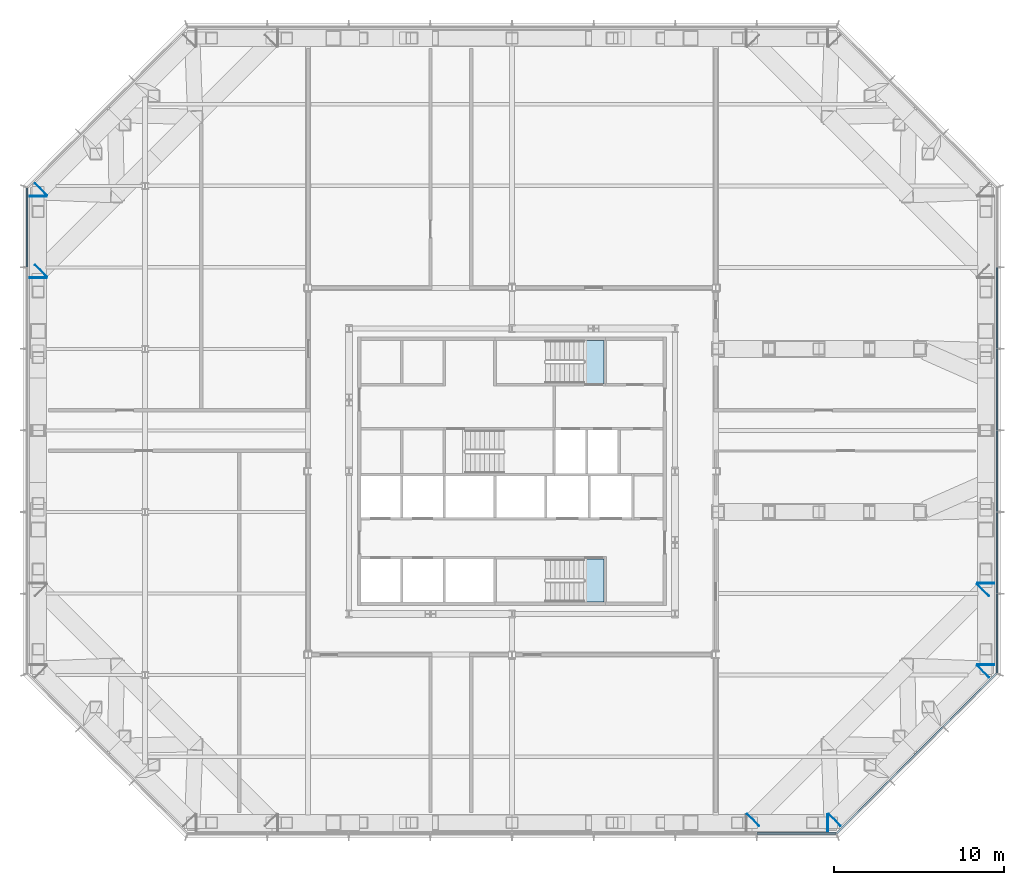
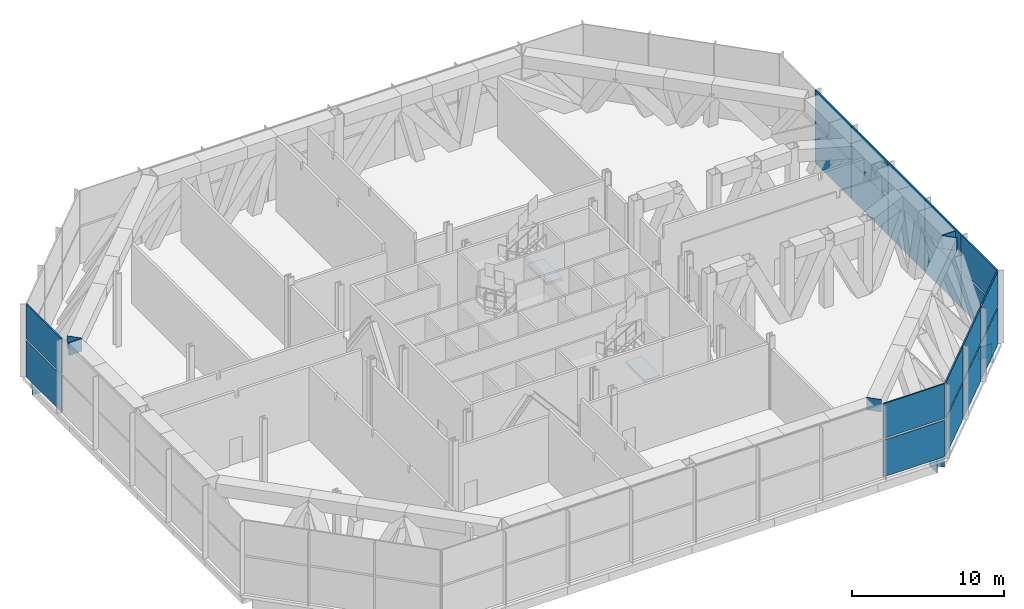
# One storey, part 11 of 17: 31 plates, 2 slabs, 6 elements without a shape of their own.
"""IFC4 building model written with IfcOpenShell, lengths in metres."""

import ifcopenshell
import ifcopenshell.guid

model = None  # the IFC model being written
_history = None  # IfcOwnerHistory: only IFC2X3 demands one
_inside = {}  # id of a spatial element -> (the spatial element, [elements in it])
_under = {}  # id of a project, library or spatial element -> (it, [spatial elements below it])
_declared = {}  # id of a project -> (the project, [libraries it declares])
_typed = {}  # id of a type object -> (the type object, [elements of that type])
_made_of = {}  # id of a material, layer set ... -> (it, [elements and type objects made of it])


def new_model(schema):
    """Start an empty IFC model of exactly this schema.

    Asked for "IFC4X3", IfcOpenShell would pick the latest addendum, in which some entities
    have other attributes; the version numbers below select the first issue.
    IFC2X3 requires an IfcOwnerHistory on every rooted entity: one is made here for all.
    """
    global model, _history
    if schema == "IFC4X3":
        model = ifcopenshell.file(schema_version=(4, 3, 0, 0))
    else:
        model = ifcopenshell.file(schema=schema)
    _inside.clear()
    _under.clear()
    _declared.clear()
    _typed.clear()
    _made_of.clear()
    _history = None
    if model.schema == "IFC2X3":
        org = make("IfcOrganization", Name="unknown")
        user = make(
            "IfcPersonAndOrganization",
            ThePerson=make("IfcPerson", FamilyName="unknown"),
            TheOrganization=org,
        )
        app = make(
            "IfcApplication",
            ApplicationDeveloper=org,
            Version="unknown",
            ApplicationFullName="unknown",
            ApplicationIdentifier="unknown",
        )
        _history = make(
            "IfcOwnerHistory",
            OwningUser=user,
            OwningApplication=app,
            ChangeAction="ADDED",
            CreationDate=0,
        )
    return model


def make(cls, **values):
    """One entity of the class cls with the attributes given. An attribute that is None is left unset."""
    return model.create_entity(
        cls, **{name: value for name, value in values.items() if value is not None}
    )


def rooted(cls, **values):
    """An entity with a GlobalId (a new one), such as an element, a storey or a relation."""
    return make(cls, GlobalId=ifcopenshell.guid.new(), OwnerHistory=_history, **values)


def si_unit(unit_type, name, prefix=None):
    """IfcSIUnit, for example si_unit("LENGTHUNIT", "METRE", prefix="MILLI")."""
    return make("IfcSIUnit", UnitType=unit_type, Prefix=prefix, Name=name)


def assignment(units):
    """IfcUnitAssignment: the units of a project."""
    return None if units is None else make("IfcUnitAssignment", Units=units)


def point(xyz):
    """IfcCartesianPoint."""
    return None if xyz is None else make("IfcCartesianPoint", Coordinates=xyz)


def direction(xyz):
    """IfcDirection."""
    return None if xyz is None else make("IfcDirection", DirectionRatios=xyz)


def frame(location, z_axis=None, x_axis=None):
    """IfcAxis2Placement3D, a coordinate frame: its origin and axes. An axis left out is left unset."""
    return make(
        "IfcAxis2Placement3D",
        Location=point(location),
        Axis=direction(z_axis),
        RefDirection=direction(x_axis),
    )


def frame_2d(location, x_axis=None):
    """IfcAxis2Placement2D, a coordinate frame in the plane: its origin and x axis."""
    return make(
        "IfcAxis2Placement2D", Location=point(location), RefDirection=direction(x_axis)
    )


def origin():
    """The frame at (0, 0, 0) with its axes left unset."""
    return frame((0.0, 0.0, 0.0))


def origin_2d():
    """The frame at (0, 0) in the plane with its x axis left unset."""
    return frame_2d((0.0, 0.0))


def place(relative_to, where):
    """IfcLocalPlacement: puts the frame where relative to a parent placement (None: the world)."""
    return make(
        "IfcLocalPlacement", PlacementRelTo=relative_to, RelativePlacement=where
    )


def context(
    kind, dimensions, precision=None, world=None, true_north=None, identifier=None
):
    """IfcGeometricRepresentationContext, for example the 3D "Model" context."""
    return make(
        "IfcGeometricRepresentationContext",
        ContextIdentifier=identifier,
        ContextType=kind,
        CoordinateSpaceDimension=dimensions,
        Precision=precision,
        WorldCoordinateSystem=world,
        TrueNorth=true_north,
    )


def subcontext(parent, identifier, kind, view, scale=None):
    """IfcGeometricRepresentationSubContext, for example "Body" below "Model"."""
    return make(
        "IfcGeometricRepresentationSubContext",
        ContextIdentifier=identifier,
        ContextType=kind,
        ParentContext=parent,
        TargetScale=scale,
        TargetView=view,
    )


def project(units=None, contexts=None):
    """IfcProject with its units and contexts."""
    return rooted(
        "IfcProject",
        Name="project",
        RepresentationContexts=contexts,
        UnitsInContext=assignment(units),
    )


def spatial(cls, under=None, at=None, **own):
    """A site, building, storey or space (cls), placed at a placement, below another one or the project."""
    s = rooted(cls, ObjectPlacement=at, **own)
    if under is not None:
        _under.setdefault(under.id(), (under, []))[1].append(s)
    return s


def polyline(points):
    """IfcPolyline through the points."""
    return make("IfcPolyline", Points=[point(p) for p in points])


def profile(cls, at=None, kind="AREA", **sizes):
    """A parametric profile (cls). Its sizes go by their IFC names, for example OverallWidth=200.0."""
    return make(cls, ProfileType=kind, Position=at, **sizes)


def rectangle(**sizes):
    """IfcRectangleProfileDef."""
    return profile("IfcRectangleProfileDef", **sizes)


def outline(outer, holes=None, kind="AREA"):
    """IfcArbitraryClosedProfileDef: a profile drawn as a closed curve; with holes, ...WithVoids."""
    if holes is None:
        return make("IfcArbitraryClosedProfileDef", ProfileType=kind, OuterCurve=outer)
    return make(
        "IfcArbitraryProfileDefWithVoids",
        ProfileType=kind,
        OuterCurve=outer,
        InnerCurves=holes,
    )


def extrude(swept, where, along, depth):
    """IfcExtrudedAreaSolid: the profile swept, set in the frame where, extruded along a direction by depth."""
    return make(
        "IfcExtrudedAreaSolid",
        SweptArea=swept,
        Position=where,
        ExtrudedDirection=direction(along),
        Depth=depth,
    )


def shape(context_of_items, identifier, shape_type, items):
    """IfcShapeRepresentation: the items that make up one representation, for example the "Body"."""
    return make(
        "IfcShapeRepresentation",
        ContextOfItems=context_of_items,
        RepresentationIdentifier=identifier,
        RepresentationType=shape_type,
        Items=items,
    )


def material(Name=None, Category=None):
    """IfcMaterial."""
    return make("IfcMaterial", Name=Name, Category=Category)


def layer(
    of_material, thickness, ventilated=None, Name=None, Category=None, Priority=None
):
    """IfcMaterialLayer: one layer of a wall or slab, of a material (None: an air gap)."""
    return make(
        "IfcMaterialLayer",
        Material=of_material,
        LayerThickness=thickness,
        IsVentilated=ventilated,
        Name=Name,
        Category=Category,
        Priority=Priority,
    )


def layer_set(layers, Name=None):
    """IfcMaterialLayerSet."""
    return make("IfcMaterialLayerSet", MaterialLayers=layers, LayerSetName=Name)


def material_profile(
    of_material, cross_section, Name=None, Category=None, Priority=None
):
    """IfcMaterialProfile: a cross section and its material."""
    return make(
        "IfcMaterialProfile",
        Name=Name,
        Material=of_material,
        Profile=cross_section,
        Priority=Priority,
        Category=Category,
    )


def profile_set(profiles, Name=None, composite=None):
    """IfcMaterialProfileSet."""
    return make(
        "IfcMaterialProfileSet",
        Name=Name,
        MaterialProfiles=profiles,
        CompositeProfile=composite,
    )


def made_of(thing, what):
    """Note that an element or type object is made of a material, layer set ...; save() writes the relation."""
    if what is not None:
        _made_of.setdefault(what.id(), (what, []))[1].append(thing)
    return thing


def type_object(cls, material=None, **own):
    """A type object (cls), such as IfcWallType, which elements share."""
    return made_of(rooted(cls, **own), material)


def element(
    cls,
    number,
    at=None,
    inside=None,
    cuts=None,
    type_object=None,
    material=None,
    context=None,
    identifier="Body",
    shape_type=None,
    held_by="IfcProductDefinitionShape",
    body=None,
    shapes=None,
    **own,
):
    """One element of the class cls, such as IfcWall. Its Tag is "e" and its number.

    at: its placement. inside: the storey or other place that contains it. cuts: it is an
    opening in that element (IfcRelVoidsElement). A single representation is given by context,
    identifier, shape_type and body (its items); several are given by shapes. held_by: the class
    of the entity that holds the representations. save() writes the other relations.
    """
    e = rooted(cls, Tag="e%d" % number, ObjectPlacement=at, **own)
    if body is not None:
        shapes = [shape(context, identifier, shape_type, body)]
    if shapes is not None:
        e.Representation = make(held_by, Representations=shapes)
    if inside is not None:
        _inside.setdefault(inside.id(), (inside, []))[1].append(e)
    if cuts is not None:
        rooted(
            "IfcRelVoidsElement", RelatingBuildingElement=cuts, RelatedOpeningElement=e
        )
    if type_object is not None:
        _typed.setdefault(type_object.id(), (type_object, []))[1].append(e)
    return made_of(e, material)


def aggregate(whole, parts):
    """IfcRelAggregates: a whole, such as a stair, and the parts it consists of."""
    return rooted("IfcRelAggregates", RelatingObject=whole, RelatedObjects=parts)


def save(model, path):
    """Write the relations noted so far, then the file.

    IfcRelAggregates (storeys below a building ...), IfcRelContainedInSpatialStructure (elements
    in a storey), IfcRelDefinesByType, IfcRelAssociatesMaterial and IfcRelDeclares: one each for
    every whole, place, type object, material and project.
    """
    for whole, parts in _under.values():
        aggregate(whole, parts)
    for where, things in _inside.values():
        rooted(
            "IfcRelContainedInSpatialStructure",
            RelatedElements=things,
            RelatingStructure=where,
        )
    for kind, things in _typed.values():
        rooted("IfcRelDefinesByType", RelatedObjects=things, RelatingType=kind)
    for what, things in _made_of.values():
        rooted("IfcRelAssociatesMaterial", RelatedObjects=things, RelatingMaterial=what)
    for by, libraries in _declared.values():
        rooted("IfcRelDeclares", RelatingContext=by, RelatedDefinitions=libraries)
    model.write(path)


model = new_model("IFC4")

# Units and contexts
model_context = context("Model", 3, precision=1e-05, world=origin(), true_north=direction((0.0, 1.0)))
body_context = subcontext(model_context, "Body", "Model", "MODEL_VIEW")
ifc_project = project(units=[si_unit("LENGTHUNIT", "METRE"), si_unit("AREAUNIT", "SQUARE_METRE"), si_unit("VOLUMEUNIT", "CUBIC_METRE"), si_unit("PLANEANGLEUNIT", "RADIAN"), si_unit("MASSUNIT", "GRAM", prefix="KILO")], contexts=[model_context])

# Site, building, storey
site_placement = place(None, origin())
site = spatial("IfcSite", under=ifc_project, at=site_placement, CompositionType="ELEMENT")
building_placement = place(site_placement, origin())
building = spatial("IfcBuilding", under=site, at=building_placement, Name="Cairn Pilgrim Tower", CompositionType="ELEMENT")
storey_placement = place(building_placement, frame((0.0, 0.0, 119.39990234375)))
storey = spatial("IfcBuildingStorey", under=building, at=storey_placement, Name="L29", CompositionType="ELEMENT", Elevation=119.39990234375)

# Plates
ifc_material_1 = material(Name="Structural steel S460M", Category="steel")
ifc_material_profile = material_profile(ifc_material_1, rectangle(XDim=1.0, YDim=1.0, at=origin_2d()), Name="END PLATE BOX 1000x1000x60")
ifc_profile_set = profile_set([ifc_material_profile], Name="Structural steel S460M")
plate_type_1 = type_object("IfcPlateType", Name="END PLATE BOX 1000x1000x60", PredefinedType="SHEET", material=ifc_profile_set)
for number, where, z_axis, x_axis, name in (
    (1, (25.77001953125, -18.300048828125, -0.75), (1.0, 0.0, 0.0), (0.0, 1.0, 0.0), "EP-BT29-S-BC8-B"),
    (2, (26.208984375, -18.1181640625, -0.75), (-0.707106781187, -0.707106781187, 0.0), (0.707106781187, -0.707106781187, 0.0), "EP-BT29-SE-BC1-A"),
    (3, (21.408935546875, -18.1181640625, 5.35009765625), (-0.707106781187, -0.707106781187, 0.0), (0.707106781187, -0.707106781187, 0.0), "EP-BT29-SE-TC1-A"),
    (4, (34.918212890625, -9.408935546875, -0.75), (0.707106781187, 0.707106781187, 0.0), (-0.707106781187, 0.707106781187, 0.0), "EP-BT29-SE-BC4-B"),
):
    element("IfcPlate", number, at=place(storey_placement, frame(where, z_axis=z_axis, x_axis=x_axis)), inside=storey, type_object=plate_type_1, Name=name, PredefinedType="SHEET", context=body_context, shape_type="SweptSolid", body=[
        extrude(rectangle(XDim=1.0, YDim=1.0, at=origin_2d()), origin(), (0.0, 0.0, 1.0), 0.0400390625),
    ])
for number, where, z_axis, x_axis, name in (
    (5, (34.918212890625, -4.60888671875, 5.35009765625), (0.710161195225, 0.704039115956, 0.0), (-0.704039115956, 0.710161195225, 0.0), "EP-BT29-SE-TC4-B"),
    (6, (35.10009765625, -8.97021484375, -0.75), (0.0, -1.0, 0.0), (1.0, 0.0, 0.0), "EP-BT29-E-BC1-A"),
):
    element("IfcPlate", number, at=place(storey_placement, frame(where, z_axis=z_axis, x_axis=x_axis)), inside=storey, type_object=plate_type_1, Name=name, PredefinedType="SHEET", context=body_context, shape_type="SweptSolid", body=[
        extrude(rectangle(XDim=1.0, YDim=1.0, at=origin_2d()), origin(), (0.0, 0.0, 1.0), 0.039794921875),
    ])
plate_1_placement = place(storey_placement, frame((35.10009765625, -4.170166015625, 5.35009765625), z_axis=(0.0, -1.0, 0.0), x_axis=(1.0, 0.0, 0.0)))
element("IfcPlate", 7, at=plate_1_placement, inside=storey, type_object=plate_type_1, Name="EP-BT29-E-TC1-A", PredefinedType="SHEET", context=body_context, shape_type="SweptSolid", body=[
    extrude(rectangle(XDim=1.0, YDim=1.0, at=origin_2d()), origin(), (0.0, 0.0, 1.0), 0.0400390625),
])
for number, where, z_axis, x_axis, name in (
    (8, (-20.518310546875, 19.009033203125, -0.75), (-0.704039115956, -0.710161195225, 0.0), (0.710161195225, -0.704039115956, 0.0), "EP-BT29-NW-BC4-B"),
    (9, (-20.518310546875, 14.208984375, 5.35009765625), (-0.704039115956, -0.710161195225, 0.0), (0.710161195225, -0.704039115956, 0.0), "EP-BT29-NW-TC4-B"),
):
    element("IfcPlate", number, at=place(storey_placement, frame(where, z_axis=z_axis, x_axis=x_axis)), inside=storey, type_object=plate_type_1, Name=name, PredefinedType="SHEET", context=body_context, shape_type="SweptSolid", body=[
        extrude(rectangle(XDim=1.0, YDim=1.0, at=origin_2d()), origin(), (0.0, 0.0, 1.0), 0.039794921875),
    ])
for number, where, z_axis, x_axis, name in (
    (10, (-20.699951171875, 18.570068359375, -0.75), (0.0, 1.0, 0.0), (-1.0, 0.0, 0.0), "EP-BT29-W-BC1-A"),
    (11, (-20.699951171875, 13.77001953125, 5.35009765625), (0.0, 1.0, 0.0), (-1.0, 0.0, 0.0), "EP-BT29-W-TC1-A"),
):
    element("IfcPlate", number, at=place(storey_placement, frame(where, z_axis=z_axis, x_axis=x_axis)), inside=storey, type_object=plate_type_1, Name=name, PredefinedType="SHEET", context=body_context, shape_type="SweptSolid", body=[
        extrude(rectangle(XDim=1.0, YDim=1.0, at=origin_2d()), origin(), (0.0, 0.0, 1.0), 0.0400390625),
    ])

# Curtain wall, plates
ifc_material_2 = material(Name="Aluminium alloy 6063-T6 bronze anodised with Bronze tinted laminated low-E glass 8+16+8.8", Category="aluminium")
curtain_wall_type = type_object("IfcCurtainWallType", Name="PLANT LOUVRE CURTAIN WALL", PredefinedType="NOTDEFINED", material=ifc_material_2)
curtain_wall_1_placement = place(storey_placement, origin())
curtain_wall_1 = element("IfcCurtainWall", 12, at=curtain_wall_1_placement, inside=storey, type_object=curtain_wall_type, Name="Plant Louvre Curtain Wall SE", PredefinedType="NOTDEFINED")
ifc_material_3 = material(Name="Bronze anodised aluminium louvre blades", Category="aluminium")
ifc_layer_1 = layer(ifc_material_3, 0.10009765625)
ifc_layer_set_1 = layer_set([ifc_layer_1], Name="LOUVRE PANEL 4386x2775")
plate_type_2 = type_object("IfcPlateType", Name="LOUVRE PANEL 4386x2775", PredefinedType="CURTAIN_PANEL", material=ifc_layer_set_1)
plate_2_placement = place(storey_placement, frame((27.87548828125, -17.370849609375, 3.0751953125), z_axis=(0.0, 0.0, 1.0), x_axis=(0.707106781187, 0.707106781187, 0.0)))
plate_2 = element("IfcPlate", 13, at=plate_2_placement, type_object=plate_type_2, Name="Louvre Panel SE1-2", PredefinedType="CURTAIN_PANEL", context=body_context, shape_type="SweptSolid", body=[
    extrude(rectangle(XDim=4.386474609375, YDim=0.10009765625, at=origin_2d()), origin(), (0.0, 0.0, 1.0), 2.77490234375),
])
plate_3_placement = place(storey_placement, frame((34.1708984375, -11.07568359375, 3.0751953125), z_axis=(0.0, 0.0, 1.0), x_axis=(0.707106781187, 0.707106781187, 0.0)))
plate_3 = element("IfcPlate", 14, at=plate_3_placement, type_object=plate_type_2, Name="Louvre Panel SE3-2", PredefinedType="CURTAIN_PANEL", context=body_context, shape_type="SweptSolid", body=[
    extrude(rectangle(XDim=4.386474609375, YDim=0.10009765625, at=origin_2d()), origin(), (0.0, 0.0, 1.0), 2.77490234375),
])
ifc_layer_2 = layer(ifc_material_3, 0.10009765625)
ifc_layer_set_2 = layer_set([ifc_layer_2], Name="LOUVRE PANEL 4386x2925")
plate_type_3 = type_object("IfcPlateType", Name="LOUVRE PANEL 4386x2925", PredefinedType="CURTAIN_PANEL", material=ifc_layer_set_2)
plate_4_placement = place(storey_placement, frame((27.87548828125, -17.370849609375, 0.0), z_axis=(0.0, 0.0, 1.0), x_axis=(0.707106781187, 0.707106781187, 0.0)))
plate_4 = element("IfcPlate", 15, at=plate_4_placement, type_object=plate_type_3, Name="Louvre Panel SE1-1", PredefinedType="CURTAIN_PANEL", context=body_context, shape_type="SweptSolid", body=[
    extrude(rectangle(XDim=4.386474609375, YDim=0.10009765625, at=origin_2d()), origin(), (0.0, 0.0, 1.0), 2.925048828125),
])
plate_5_placement = place(storey_placement, frame((34.1708984375, -11.07568359375, 0.0), z_axis=(0.0, 0.0, 1.0), x_axis=(0.707106781187, 0.707106781187, 0.0)))
plate_5 = element("IfcPlate", 16, at=plate_5_placement, type_object=plate_type_3, Name="Louvre Panel SE3-1", PredefinedType="CURTAIN_PANEL", context=body_context, shape_type="SweptSolid", body=[
    extrude(rectangle(XDim=4.386474609375, YDim=0.10009765625, at=origin_2d()), origin(), (0.0, 0.0, 1.0), 2.925048828125),
])
ifc_layer_3 = layer(ifc_material_3, 0.10009765625)
ifc_layer_set_3 = layer_set([ifc_layer_3], Name="LOUVRE PANEL 4396x2775")
plate_type_4 = type_object("IfcPlateType", Name="LOUVRE PANEL 4396x2775", PredefinedType="CURTAIN_PANEL", material=ifc_layer_set_3)
plate_6_placement = place(storey_placement, frame((31.023193359375, -14.22314453125, 3.0751953125), z_axis=(0.0, 0.0, 1.0), x_axis=(0.707106781187, 0.707106781187, 0.0)))
plate_6 = element("IfcPlate", 17, at=plate_6_placement, type_object=plate_type_4, Name="Louvre Panel SE2-2", PredefinedType="CURTAIN_PANEL", context=body_context, shape_type="SweptSolid", body=[
    extrude(rectangle(XDim=4.396484375, YDim=0.10009765625, at=origin_2d()), origin(), (0.0, 0.0, 1.0), 2.77490234375),
])
ifc_layer_4 = layer(ifc_material_3, 0.10009765625)
ifc_layer_set_4 = layer_set([ifc_layer_4], Name="LOUVRE PANEL 4396x2925")
plate_type_5 = type_object("IfcPlateType", Name="LOUVRE PANEL 4396x2925", PredefinedType="CURTAIN_PANEL", material=ifc_layer_set_4)
plate_7_placement = place(storey_placement, frame((31.023193359375, -14.22314453125, 0.0), z_axis=(0.0, 0.0, 1.0), x_axis=(0.707106781187, 0.707106781187, 0.0)))
plate_7 = element("IfcPlate", 18, at=plate_7_placement, type_object=plate_type_5, Name="Louvre Panel SE2-1", PredefinedType="CURTAIN_PANEL", context=body_context, shape_type="SweptSolid", body=[
    extrude(rectangle(XDim=4.396484375, YDim=0.10009765625, at=origin_2d()), origin(), (0.0, 0.0, 1.0), 2.925048828125),
])
aggregate(curtain_wall_1, [plate_4, plate_2, plate_7, plate_6, plate_5, plate_3])

# Curtain wall, plate
curtain_wall_2_placement = place(storey_placement, origin())
curtain_wall_2 = element("IfcCurtainWall", 19, at=curtain_wall_2_placement, inside=storey, type_object=curtain_wall_type, Name="Plant Louvre Curtain Wall S", PredefinedType="NOTDEFINED")
ifc_layer_5 = layer(ifc_material_3, 0.10009765625)
ifc_layer_set_5 = layer_set([ifc_layer_5], Name="LOUVRE PANEL 4626x2775")
plate_type_6 = type_object("IfcPlateType", Name="LOUVRE PANEL 4626x2775", PredefinedType="CURTAIN_PANEL", material=ifc_layer_set_5)
plate_8_placement = place(storey_placement, frame((23.943115234375, -18.949951171875, 3.0751953125), z_axis=(0.0, 0.0, 1.0), x_axis=(1.0, 0.0, 0.0)))
plate_8 = element("IfcPlate", 20, at=plate_8_placement, type_object=plate_type_6, Name="Louvre Panel S8-2", PredefinedType="CURTAIN_PANEL", context=body_context, shape_type="SweptSolid", body=[
    extrude(rectangle(XDim=4.62646484375, YDim=0.10009765625, at=origin_2d()), origin(), (0.0, 0.0, 1.0), 2.77490234375),
])

curtain_wall_3_placement = place(storey_placement, origin())
curtain_wall_3 = element("IfcCurtainWall", 21, at=curtain_wall_3_placement, inside=storey, type_object=curtain_wall_type, Name="Plant Louvre Curtain Wall E", PredefinedType="NOTDEFINED")
plate_9_placement = place(storey_placement, frame((35.75, -7.143310546875, 3.0751953125), z_axis=(0.0, 0.0, 1.0), x_axis=(0.0, 1.0, 0.0)))
plate_9 = element("IfcPlate", 22, at=plate_9_placement, type_object=plate_type_6, Name="Louvre Panel E1-2", PredefinedType="CURTAIN_PANEL", context=body_context, shape_type="SweptSolid", body=[
    extrude(rectangle(XDim=4.62646484375, YDim=0.10009765625, at=origin_2d()), origin(), (0.0, 0.0, 1.0), 2.77490234375),
])

curtain_wall_4_placement = place(storey_placement, origin())
curtain_wall_4 = element("IfcCurtainWall", 23, at=curtain_wall_4_placement, inside=storey, type_object=curtain_wall_type, Name="Plant Louvre Curtain Wall W", PredefinedType="NOTDEFINED")
plate_10_placement = place(storey_placement, frame((-21.35009765625, 16.7431640625, 3.0751953125), z_axis=(0.0, 0.0, 1.0), x_axis=(0.0, -1.0, 0.0)))
plate_10 = element("IfcPlate", 24, at=plate_10_placement, type_object=plate_type_6, Name="Louvre Panel W1-2", PredefinedType="CURTAIN_PANEL", context=body_context, shape_type="SweptSolid", body=[
    extrude(rectangle(XDim=4.62646484375, YDim=0.10009765625, at=origin_2d()), origin(), (0.0, 0.0, 1.0), 2.77490234375),
])

# Plate
ifc_layer_6 = layer(ifc_material_3, 0.10009765625)
ifc_layer_set_6 = layer_set([ifc_layer_6], Name="LOUVRE PANEL 4626x2925")
plate_type_7 = type_object("IfcPlateType", Name="LOUVRE PANEL 4626x2925", PredefinedType="CURTAIN_PANEL", material=ifc_layer_set_6)
plate_11_placement = place(storey_placement, frame((23.943115234375, -18.949951171875, 0.0), z_axis=(0.0, 0.0, 1.0), x_axis=(1.0, 0.0, 0.0)))
plate_11 = element("IfcPlate", 25, at=plate_11_placement, type_object=plate_type_7, Name="Louvre Panel S8-1", PredefinedType="CURTAIN_PANEL", context=body_context, shape_type="SweptSolid", body=[
    extrude(rectangle(XDim=4.62646484375, YDim=0.10009765625, at=origin_2d()), origin(), (0.0, 0.0, 1.0), 2.925048828125),
])

aggregate(curtain_wall_2, [plate_11, plate_8])

plate_12_placement = place(storey_placement, frame((35.75, -7.143310546875, 0.0), z_axis=(0.0, 0.0, 1.0), x_axis=(0.0, 1.0, 0.0)))
plate_12 = element("IfcPlate", 26, at=plate_12_placement, type_object=plate_type_7, Name="Louvre Panel E1-1", PredefinedType="CURTAIN_PANEL", context=body_context, shape_type="SweptSolid", body=[
    extrude(rectangle(XDim=4.62646484375, YDim=0.10009765625, at=origin_2d()), origin(), (0.0, 0.0, 1.0), 2.925048828125),
])

plate_13_placement = place(storey_placement, frame((-21.35009765625, 16.7431640625, 0.0), z_axis=(0.0, 0.0, 1.0), x_axis=(0.0, -1.0, 0.0)))
plate_13 = element("IfcPlate", 27, at=plate_13_placement, type_object=plate_type_7, Name="Louvre Panel W1-1", PredefinedType="CURTAIN_PANEL", context=body_context, shape_type="SweptSolid", body=[
    extrude(rectangle(XDim=4.62646484375, YDim=0.10009765625, at=origin_2d()), origin(), (0.0, 0.0, 1.0), 2.925048828125),
])

aggregate(curtain_wall_4, [plate_13, plate_10])

ifc_layer_7 = layer(ifc_material_3, 0.10009765625)
ifc_layer_set_7 = layer_set([ifc_layer_7], Name="LOUVRE PANEL 4740x2775")
plate_type_8 = type_object("IfcPlateType", Name="LOUVRE PANEL 4740x2775", PredefinedType="CURTAIN_PANEL", material=ifc_layer_set_7)
plate_14_placement = place(storey_placement, frame((35.75, -2.39990234375, 3.0751953125), z_axis=(0.0, 0.0, 1.0), x_axis=(0.0, 1.0, 0.0)))
plate_14 = element("IfcPlate", 28, at=plate_14_placement, type_object=plate_type_8, Name="Louvre Panel E2-2", PredefinedType="CURTAIN_PANEL", context=body_context, shape_type="SweptSolid", body=[
    extrude(rectangle(XDim=4.739990234375, YDim=0.10009765625, at=origin_2d()), origin(), (0.0, 0.0, 1.0), 2.77490234375),
])

plate_15_placement = place(storey_placement, frame((35.75, 2.39990234375, 3.0751953125), z_axis=(0.0, 0.0, 1.0), x_axis=(0.0, 1.0, 0.0)))
plate_15 = element("IfcPlate", 29, at=plate_15_placement, type_object=plate_type_8, Name="Louvre Panel E3-2", PredefinedType="CURTAIN_PANEL", context=body_context, shape_type="SweptSolid", body=[
    extrude(rectangle(XDim=4.739990234375, YDim=0.10009765625, at=origin_2d()), origin(), (0.0, 0.0, 1.0), 2.77490234375),
])

plate_16_placement = place(storey_placement, frame((35.75, 7.199951171875, 3.0751953125), z_axis=(0.0, 0.0, 1.0), x_axis=(0.0, 1.0, 0.0)))
plate_16 = element("IfcPlate", 30, at=plate_16_placement, type_object=plate_type_8, Name="Louvre Panel E4-2", PredefinedType="CURTAIN_PANEL", context=body_context, shape_type="SweptSolid", body=[
    extrude(rectangle(XDim=4.739990234375, YDim=0.10009765625, at=origin_2d()), origin(), (0.0, 0.0, 1.0), 2.77490234375),
])

plate_17_placement = place(storey_placement, frame((35.75, 12.0, 3.0751953125), z_axis=(0.0, 0.0, 1.0), x_axis=(0.0, 1.0, 0.0)))
plate_17 = element("IfcPlate", 31, at=plate_17_placement, type_object=plate_type_8, Name="Louvre Panel E5-2", PredefinedType="CURTAIN_PANEL", context=body_context, shape_type="SweptSolid", body=[
    extrude(rectangle(XDim=4.739990234375, YDim=0.10009765625, at=origin_2d()), origin(), (0.0, 0.0, 1.0), 2.77490234375),
])

ifc_layer_8 = layer(ifc_material_3, 0.10009765625)
ifc_layer_set_8 = layer_set([ifc_layer_8], Name="LOUVRE PANEL 4740x2925")
plate_type_9 = type_object("IfcPlateType", Name="LOUVRE PANEL 4740x2925", PredefinedType="CURTAIN_PANEL", material=ifc_layer_set_8)
plate_18_placement = place(storey_placement, frame((35.75, -2.39990234375, 0.0), z_axis=(0.0, 0.0, 1.0), x_axis=(0.0, 1.0, 0.0)))
plate_18 = element("IfcPlate", 32, at=plate_18_placement, type_object=plate_type_9, Name="Louvre Panel E2-1", PredefinedType="CURTAIN_PANEL", context=body_context, shape_type="SweptSolid", body=[
    extrude(rectangle(XDim=4.739990234375, YDim=0.10009765625, at=origin_2d()), origin(), (0.0, 0.0, 1.0), 2.925048828125),
])

plate_19_placement = place(storey_placement, frame((35.75, 2.39990234375, 0.0), z_axis=(0.0, 0.0, 1.0), x_axis=(0.0, 1.0, 0.0)))
plate_19 = element("IfcPlate", 33, at=plate_19_placement, type_object=plate_type_9, Name="Louvre Panel E3-1", PredefinedType="CURTAIN_PANEL", context=body_context, shape_type="SweptSolid", body=[
    extrude(rectangle(XDim=4.739990234375, YDim=0.10009765625, at=origin_2d()), origin(), (0.0, 0.0, 1.0), 2.925048828125),
])

plate_20_placement = place(storey_placement, frame((35.75, 7.199951171875, 0.0), z_axis=(0.0, 0.0, 1.0), x_axis=(0.0, 1.0, 0.0)))
plate_20 = element("IfcPlate", 34, at=plate_20_placement, type_object=plate_type_9, Name="Louvre Panel E4-1", PredefinedType="CURTAIN_PANEL", context=body_context, shape_type="SweptSolid", body=[
    extrude(rectangle(XDim=4.739990234375, YDim=0.10009765625, at=origin_2d()), origin(), (0.0, 0.0, 1.0), 2.925048828125),
])

plate_21_placement = place(storey_placement, frame((35.75, 12.0, 0.0), z_axis=(0.0, 0.0, 1.0), x_axis=(0.0, 1.0, 0.0)))
plate_21 = element("IfcPlate", 35, at=plate_21_placement, type_object=plate_type_9, Name="Louvre Panel E5-1", PredefinedType="CURTAIN_PANEL", context=body_context, shape_type="SweptSolid", body=[
    extrude(rectangle(XDim=4.739990234375, YDim=0.10009765625, at=origin_2d()), origin(), (0.0, 0.0, 1.0), 2.925048828125),
])

aggregate(curtain_wall_3, [plate_12, plate_9, plate_18, plate_14, plate_19, plate_15, plate_20, plate_16, plate_21, plate_17])

# Stair, slab
ifc_material_4 = material(Name="Concrete C32/40", Category="concrete")
stair_type = type_object("IfcStairType", Name="EXIT STAIR 1200", PredefinedType="HALF_TURN_STAIR", material=ifc_material_4)
stair_1_placement = place(storey_placement, origin())
stair_1 = element("IfcStair", 36, at=stair_1_placement, inside=storey, type_object=stair_type, Name="L29 Exit Stair A", PredefinedType="HALF_TURN_STAIR")
ifc_layer_9 = layer(ifc_material_4, 0.199951171875)
ifc_layer_set_9 = layer_set([ifc_layer_9], Name="STAIR LANDING 200")
slab_type = type_object("IfcSlabType", Name="STAIR LANDING 200", PredefinedType="LANDING", material=ifc_layer_set_9)
slab_1_placement = place(storey_placement, frame((0.0, 0.0, 2.800048828125)))
slab_1 = element("IfcSlab", 37, at=slab_1_placement, type_object=slab_type, Name="ST-A landing 2", PredefinedType="LANDING", context=body_context, shape_type="SweptSolid", body=[
    extrude(outline(polyline([(12.625, -2.77490234375), (11.425048828125, -2.77490234375), (11.425048828125, -5.300048828125), (12.625, -5.300048828125), (12.625, -2.77490234375)])), origin(), (0.0, 0.0, 1.0), 0.199951171875),
])
aggregate(stair_1, [slab_1])

stair_2_placement = place(storey_placement, origin())
stair_2 = element("IfcStair", 38, at=stair_2_placement, inside=storey, type_object=stair_type, Name="L29 Exit Stair C", PredefinedType="HALF_TURN_STAIR")
slab_2_placement = place(storey_placement, frame((0.0, 0.0, 2.800048828125)))
slab_2 = element("IfcSlab", 39, at=slab_2_placement, type_object=slab_type, Name="ST-C landing 2", PredefinedType="LANDING", context=body_context, shape_type="SweptSolid", body=[
    extrude(outline(polyline([(12.625, 10.10009765625), (11.425048828125, 10.10009765625), (11.425048828125, 7.574951171875), (12.625, 7.574951171875), (12.625, 10.10009765625)])), origin(), (0.0, 0.0, 1.0), 0.199951171875),
])
aggregate(stair_2, [slab_2])

save(model, "model.ifc")
